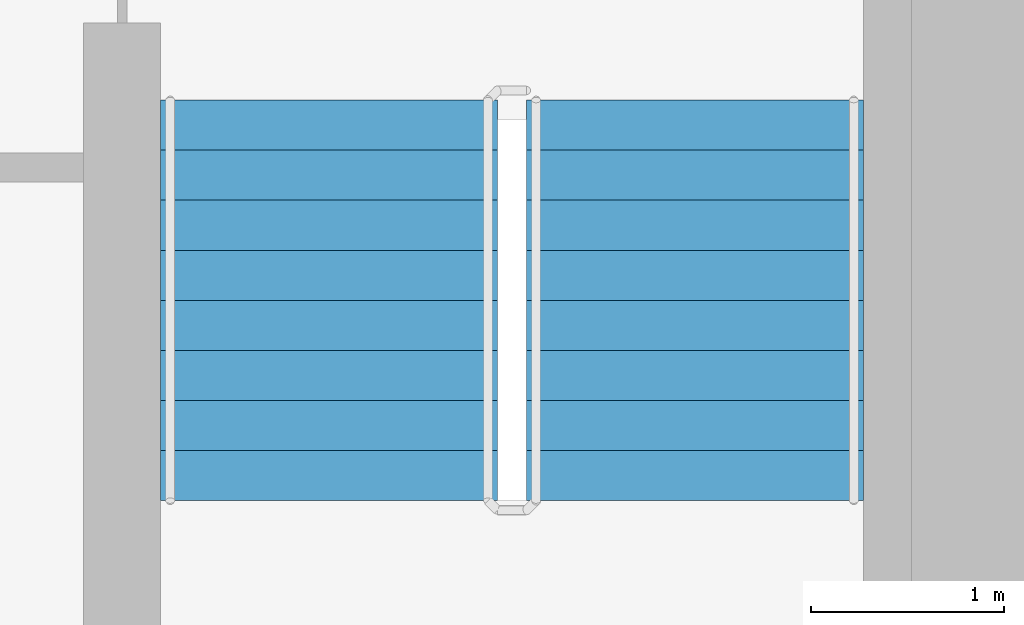
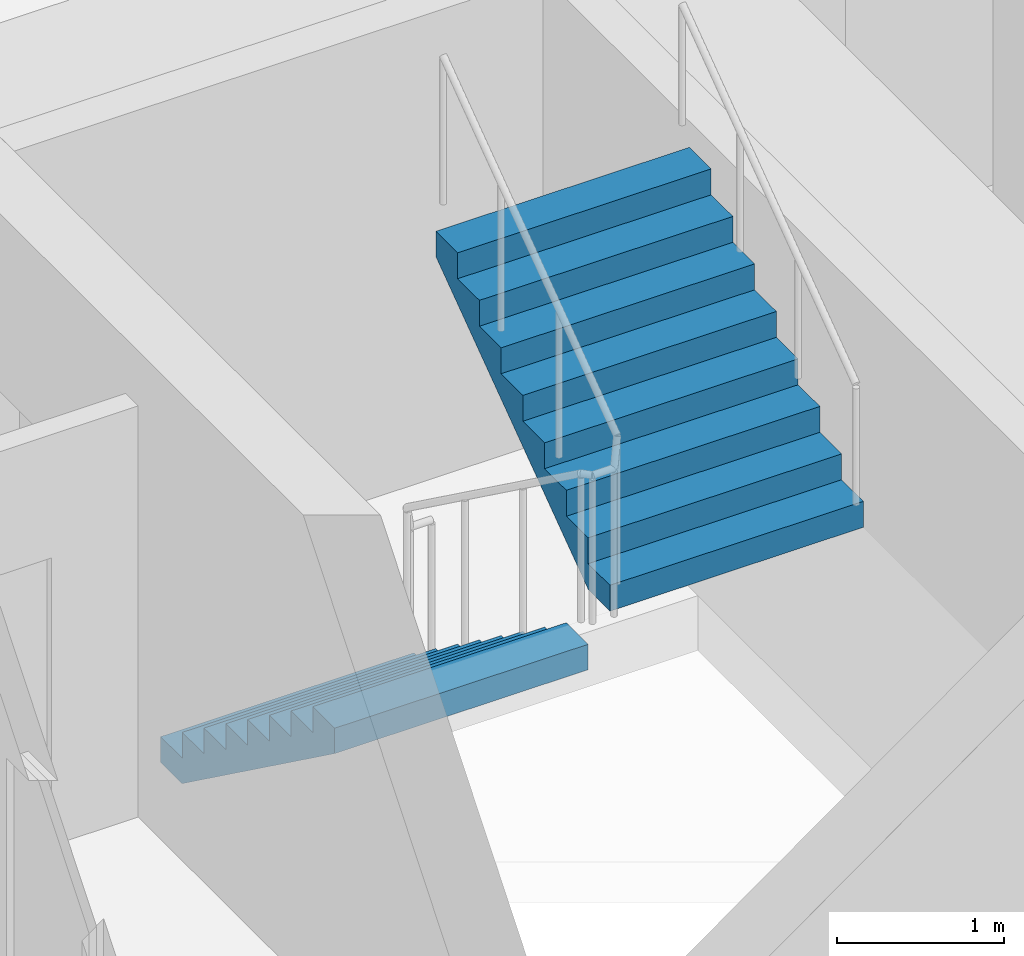
# One storey, part 18 of 21: 2 stair flights, 1 element without a shape of its own.
"""IFC4 building model written with IfcOpenShell, lengths in metres."""

from ifc_helpers import new_model, si_unit, direction, frame, origin, place, context, subcontext, project, spatial, faceted_brep, material, type_object, element, aggregate, save


model = new_model("IFC4")

# Units and contexts
model_context = context("Model", 3, precision=1e-05, world=origin(), true_north=direction((0.0, 1.0)))
body_context = subcontext(model_context, "Body", "Model", "MODEL_VIEW")
ifc_project = project(units=[si_unit("LENGTHUNIT", "METRE"), si_unit("AREAUNIT", "SQUARE_METRE"), si_unit("VOLUMEUNIT", "CUBIC_METRE"), si_unit("PLANEANGLEUNIT", "RADIAN"), si_unit("MASSUNIT", "GRAM", prefix="KILO")], contexts=[model_context])

# Site, building, storey
site_placement = place(None, origin())
site = spatial("IfcSite", under=ifc_project, at=site_placement, CompositionType="ELEMENT")
building_placement = place(site_placement, origin())
building = spatial("IfcBuilding", under=site, at=building_placement, Name="Ipe Terrace Towers", CompositionType="ELEMENT")
storey_placement = place(building_placement, frame((0.0, 0.0, 117.39990234375)))
storey = spatial("IfcBuildingStorey", under=building, at=storey_placement, Name="L32", CompositionType="ELEMENT", Elevation=117.39990234375)

# Stair, stair flights
ifc_material_1 = material(Name="Concrete C30/37", Category="concrete")
stair_type = type_object("IfcStairType", Name="Protected exit stair", PredefinedType="HALF_TURN_STAIR", material=ifc_material_1)
stair_placement = place(storey_placement, origin())
stair = element("IfcStair", 1, at=stair_placement, inside=storey, type_object=stair_type, Name="L32 Exit stair T2-C2", PredefinedType="HALF_TURN_STAIR")
ifc_material_2 = material(Name="Concrete C30/37", Category="concrete")
stair_flight_type = type_object("IfcStairFlightType", Name="Exit stair flight 1750", PredefinedType="STRAIGHT", material=ifc_material_2)
stair_flight_1_placement = place(storey_placement, frame((38.77490234375, -9.699951171875, 0.0), z_axis=(0.0, 0.0, 1.0), x_axis=(0.0, -1.0, 0.0)))
stair_flight_1 = element("IfcStairFlight", 2, at=stair_flight_1_placement, type_object=stair_flight_type, Name="T2-ST2 flight 1", NumberOfRisers=9, NumberOfTreads=8, PredefinedType="STRAIGHT", RiserHeight=0.188888889, TreadLength=0.26, context=body_context, shape_type="Brep", body=[
    faceted_brep([(0.255126953125, -0.875, 0.0), (2.080078125, -0.875, 1.325927734375), (2.080078125, -0.875, 1.51123046875), (1.820068359375, -0.875, 1.51123046875), (1.820068359375, -0.875, 1.322265625), (1.56005859375, -0.875, 1.322265625), (1.56005859375, -0.875, 1.13330078125), (1.300048828125, -0.875, 1.13330078125), (1.300048828125, -0.875, 0.9443359375), (1.0400390625, -0.875, 0.9443359375), (1.0400390625, -0.875, 0.755615234375), (0.780029296875, -0.875, 0.755615234375), (0.780029296875, -0.875, 0.566650390625), (0.52001953125, -0.875, 0.566650390625), (0.52001953125, -0.875, 0.377685546875), (0.260009765625, -0.875, 0.377685546875), (0.260009765625, -0.875, 0.18896484375), (0.0, -0.875, 0.18896484375), (0.0, -0.875, 0.0), (0.0, 0.875, 0.0), (0.0, 0.875, 0.18896484375), (0.260009765625, 0.875, 0.18896484375), (0.260009765625, 0.875, 0.377685546875), (0.52001953125, 0.875, 0.377685546875), (0.52001953125, 0.875, 0.566650390625), (0.780029296875, 0.875, 0.566650390625), (0.780029296875, 0.875, 0.755615234375), (1.0400390625, 0.875, 0.755615234375), (1.0400390625, 0.875, 0.9443359375), (1.300048828125, 0.875, 0.9443359375), (1.300048828125, 0.875, 1.13330078125), (1.56005859375, 0.875, 1.13330078125), (1.56005859375, 0.875, 1.322265625), (1.820068359375, 0.875, 1.322265625), (1.820068359375, 0.875, 1.51123046875), (2.080078125, 0.875, 1.51123046875), (2.080078125, 0.875, 1.325927734375), (0.255126953125, 0.875, 0.0), (0.0, -0.300048828125, 0.18896484375), (0.0, -0.1201171875, 0.18896484375), (0.0, -0.06005859375, 0.18896484375), (0.0, -0.030029296875, 0.18896484375), (0.0, -0.010009765625, 0.18896484375), (0.0, 0.0, 0.18896484375), (0.0, 0.010009765625, 0.18896484375), (0.0, 0.030029296875, 0.18896484375), (0.0, 0.06005859375, 0.18896484375), (0.0, 0.1201171875, 0.18896484375), (0.0, 0.300048828125, 0.18896484375), (0.0, 0.300048828125, 0.0), (0.0, 0.1201171875, 0.0), (0.0, 0.06005859375, 0.0), (0.0, 0.030029296875, 0.0), (0.0, 0.010009765625, 0.0), (0.0, 0.0, 0.0), (0.0, -0.010009765625, 0.0), (0.0, -0.030029296875, 0.0), (0.0, -0.06005859375, 0.0), (0.0, -0.1201171875, 0.0), (0.0, -0.300048828125, 0.0), (0.260009765625, -0.300048828125, 0.18896484375), (0.260009765625, -0.1201171875, 0.18896484375), (0.260009765625, -0.06005859375, 0.18896484375), (0.260009765625, -0.030029296875, 0.18896484375), (0.260009765625, -0.010009765625, 0.18896484375), (0.260009765625, 0.0, 0.18896484375), (0.260009765625, 0.010009765625, 0.18896484375), (0.260009765625, 0.030029296875, 0.18896484375), (0.260009765625, 0.06005859375, 0.18896484375), (0.260009765625, 0.1201171875, 0.18896484375), (0.260009765625, 0.300048828125, 0.18896484375), (0.260009765625, -0.300048828125, 0.377685546875), (0.260009765625, -0.1201171875, 0.377685546875), (0.260009765625, -0.06005859375, 0.377685546875), (0.260009765625, -0.030029296875, 0.377685546875), (0.260009765625, -0.010009765625, 0.377685546875), (0.260009765625, 0.0, 0.377685546875), (0.260009765625, 0.010009765625, 0.377685546875), (0.260009765625, 0.030029296875, 0.377685546875), (0.260009765625, 0.06005859375, 0.377685546875), (0.260009765625, 0.1201171875, 0.377685546875), (0.260009765625, 0.300048828125, 0.377685546875), (0.52001953125, -0.300048828125, 0.377685546875), (0.52001953125, -0.1201171875, 0.377685546875), (0.52001953125, -0.06005859375, 0.377685546875), (0.52001953125, -0.030029296875, 0.377685546875), (0.52001953125, -0.010009765625, 0.377685546875), (0.52001953125, 0.0, 0.377685546875), (0.52001953125, 0.010009765625, 0.377685546875), (0.52001953125, 0.030029296875, 0.377685546875), (0.52001953125, 0.06005859375, 0.377685546875), (0.52001953125, 0.1201171875, 0.377685546875), (0.52001953125, 0.300048828125, 0.377685546875), (0.52001953125, -0.300048828125, 0.566650390625), (0.52001953125, -0.1201171875, 0.566650390625), (0.52001953125, -0.06005859375, 0.566650390625), (0.52001953125, -0.030029296875, 0.566650390625), (0.52001953125, -0.010009765625, 0.566650390625), (0.52001953125, 0.0, 0.566650390625), (0.52001953125, 0.010009765625, 0.566650390625), (0.52001953125, 0.030029296875, 0.566650390625), (0.52001953125, 0.06005859375, 0.566650390625), (0.52001953125, 0.1201171875, 0.566650390625), (0.52001953125, 0.300048828125, 0.566650390625), (0.780029296875, -0.300048828125, 0.566650390625), (0.780029296875, -0.1201171875, 0.566650390625), (0.780029296875, -0.06005859375, 0.566650390625), (0.780029296875, -0.030029296875, 0.566650390625), (0.780029296875, -0.010009765625, 0.566650390625), (0.780029296875, 0.0, 0.566650390625), (0.780029296875, 0.010009765625, 0.566650390625), (0.780029296875, 0.030029296875, 0.566650390625), (0.780029296875, 0.06005859375, 0.566650390625), (0.780029296875, 0.1201171875, 0.566650390625), (0.780029296875, 0.300048828125, 0.566650390625), (0.780029296875, -0.300048828125, 0.755615234375), (0.780029296875, -0.1201171875, 0.755615234375), (0.780029296875, -0.06005859375, 0.755615234375), (0.780029296875, -0.030029296875, 0.755615234375), (0.780029296875, -0.010009765625, 0.755615234375), (0.780029296875, 0.0, 0.755615234375), (0.780029296875, 0.010009765625, 0.755615234375), (0.780029296875, 0.030029296875, 0.755615234375), (0.780029296875, 0.06005859375, 0.755615234375), (0.780029296875, 0.1201171875, 0.755615234375), (0.780029296875, 0.300048828125, 0.755615234375), (1.0400390625, -0.300048828125, 0.755615234375), (1.0400390625, -0.1201171875, 0.755615234375), (1.0400390625, -0.06005859375, 0.755615234375), (1.0400390625, -0.030029296875, 0.755615234375), (1.0400390625, -0.010009765625, 0.755615234375), (1.0400390625, 0.0, 0.755615234375), (1.0400390625, 0.010009765625, 0.755615234375), (1.0400390625, 0.030029296875, 0.755615234375), (1.0400390625, 0.06005859375, 0.755615234375), (1.0400390625, 0.1201171875, 0.755615234375), (1.0400390625, 0.300048828125, 0.755615234375), (1.0400390625, -0.300048828125, 0.9443359375), (1.0400390625, -0.1201171875, 0.9443359375), (1.0400390625, -0.06005859375, 0.9443359375), (1.0400390625, -0.030029296875, 0.9443359375), (1.0400390625, -0.010009765625, 0.9443359375), (1.0400390625, 0.0, 0.9443359375), (1.0400390625, 0.010009765625, 0.9443359375), (1.0400390625, 0.030029296875, 0.9443359375), (1.0400390625, 0.06005859375, 0.9443359375), (1.0400390625, 0.1201171875, 0.9443359375), (1.0400390625, 0.300048828125, 0.9443359375), (1.300048828125, -0.300048828125, 0.9443359375), (1.300048828125, -0.1201171875, 0.9443359375), (1.300048828125, -0.06005859375, 0.9443359375), (1.300048828125, -0.030029296875, 0.9443359375), (1.300048828125, -0.010009765625, 0.9443359375), (1.300048828125, 0.0, 0.9443359375), (1.300048828125, 0.010009765625, 0.9443359375), (1.300048828125, 0.030029296875, 0.9443359375), (1.300048828125, 0.06005859375, 0.9443359375), (1.300048828125, 0.1201171875, 0.9443359375), (1.300048828125, 0.300048828125, 0.9443359375), (1.300048828125, -0.300048828125, 1.13330078125), (1.300048828125, -0.1201171875, 1.13330078125), (1.300048828125, -0.06005859375, 1.13330078125), (1.300048828125, -0.030029296875, 1.13330078125), (1.300048828125, -0.010009765625, 1.13330078125), (1.300048828125, 0.0, 1.13330078125), (1.300048828125, 0.010009765625, 1.13330078125), (1.300048828125, 0.030029296875, 1.13330078125), (1.300048828125, 0.06005859375, 1.13330078125), (1.300048828125, 0.1201171875, 1.13330078125), (1.300048828125, 0.300048828125, 1.13330078125), (1.56005859375, -0.300048828125, 1.13330078125), (1.56005859375, -0.1201171875, 1.13330078125), (1.56005859375, -0.06005859375, 1.13330078125), (1.56005859375, -0.030029296875, 1.13330078125), (1.56005859375, -0.010009765625, 1.13330078125), (1.56005859375, 0.0, 1.13330078125), (1.56005859375, 0.010009765625, 1.13330078125), (1.56005859375, 0.030029296875, 1.13330078125), (1.56005859375, 0.06005859375, 1.13330078125), (1.56005859375, 0.1201171875, 1.13330078125), (1.56005859375, 0.300048828125, 1.13330078125), (1.56005859375, -0.300048828125, 1.322265625), (1.56005859375, -0.1201171875, 1.322265625), (1.56005859375, -0.06005859375, 1.322265625), (1.56005859375, -0.030029296875, 1.322265625), (1.56005859375, -0.010009765625, 1.322265625), (1.56005859375, 0.0, 1.322265625), (1.56005859375, 0.010009765625, 1.322265625), (1.56005859375, 0.030029296875, 1.322265625), (1.56005859375, 0.06005859375, 1.322265625), (1.56005859375, 0.1201171875, 1.322265625), (1.56005859375, 0.300048828125, 1.322265625), (1.820068359375, -0.300048828125, 1.322265625), (1.820068359375, -0.1201171875, 1.322265625), (1.820068359375, -0.06005859375, 1.322265625), (1.820068359375, -0.030029296875, 1.322265625), (1.820068359375, -0.010009765625, 1.322265625), (1.820068359375, 0.0, 1.322265625), (1.820068359375, 0.010009765625, 1.322265625), (1.820068359375, 0.030029296875, 1.322265625), (1.820068359375, 0.06005859375, 1.322265625), (1.820068359375, 0.1201171875, 1.322265625), (1.820068359375, 0.300048828125, 1.322265625), (1.820068359375, -0.300048828125, 1.51123046875), (1.820068359375, -0.1201171875, 1.51123046875), (1.820068359375, -0.06005859375, 1.51123046875), (1.820068359375, -0.030029296875, 1.51123046875), (1.820068359375, -0.010009765625, 1.51123046875), (1.820068359375, 0.0, 1.51123046875), (1.820068359375, 0.010009765625, 1.51123046875), (1.820068359375, 0.030029296875, 1.51123046875), (1.820068359375, 0.06005859375, 1.51123046875), (1.820068359375, 0.1201171875, 1.51123046875), (1.820068359375, 0.300048828125, 1.51123046875), (2.080078125, -0.300048828125, 1.51123046875), (2.080078125, -0.1201171875, 1.51123046875), (2.080078125, -0.06005859375, 1.51123046875), (2.080078125, -0.030029296875, 1.51123046875), (2.080078125, -0.010009765625, 1.51123046875), (2.080078125, 0.0, 1.51123046875), (2.080078125, 0.010009765625, 1.51123046875), (2.080078125, 0.030029296875, 1.51123046875), (2.080078125, 0.06005859375, 1.51123046875), (2.080078125, 0.1201171875, 1.51123046875), (2.080078125, 0.300048828125, 1.51123046875), (2.080078125, -0.300048828125, 1.325927734375), (2.080078125, -0.1201171875, 1.325927734375), (2.080078125, -0.06005859375, 1.325927734375), (2.080078125, -0.030029296875, 1.325927734375), (2.080078125, -0.010009765625, 1.325927734375), (2.080078125, 0.0, 1.325927734375), (2.080078125, 0.010009765625, 1.325927734375), (2.080078125, 0.030029296875, 1.325927734375), (2.080078125, 0.06005859375, 1.325927734375), (2.080078125, 0.1201171875, 1.325927734375), (2.080078125, 0.300048828125, 1.325927734375), (0.255126953125, -0.300048828125, 0.0), (0.255126953125, -0.1201171875, 0.0), (0.255126953125, -0.06005859375, 0.0), (0.255126953125, -0.030029296875, 0.0), (0.255126953125, -0.010009765625, 0.0), (0.255126953125, 0.0, 0.0), (0.255126953125, 0.010009765625, 0.0), (0.255126953125, 0.030029296875, 0.0), (0.255126953125, 0.06005859375, 0.0), (0.255126953125, 0.1201171875, 0.0), (0.255126953125, 0.300048828125, 0.0)], [[[0, 1, 2, 3, 4, 5, 6, 7, 8, 9, 10, 11, 12, 13, 14, 15, 16, 17, 18]], [[19, 20, 21, 22, 23, 24, 25, 26, 27, 28, 29, 30, 31, 32, 33, 34, 35, 36, 37]], [[17, 38, 39, 40, 41, 42, 43, 44, 45, 46, 47, 48, 20, 19, 49, 50, 51, 52, 53, 54, 55, 56, 57, 58, 59, 18]], [[16, 60, 61, 62, 63, 64, 65, 66, 67, 68, 69, 70, 21, 20, 48, 47, 46, 45, 44, 43, 42, 41, 40, 39, 38, 17]], [[15, 71, 72, 73, 74, 75, 76, 77, 78, 79, 80, 81, 22, 21, 70, 69, 68, 67, 66, 65, 64, 63, 62, 61, 60, 16]], [[14, 82, 83, 84, 85, 86, 87, 88, 89, 90, 91, 92, 23, 22, 81, 80, 79, 78, 77, 76, 75, 74, 73, 72, 71, 15]], [[13, 93, 94, 95, 96, 97, 98, 99, 100, 101, 102, 103, 24, 23, 92, 91, 90, 89, 88, 87, 86, 85, 84, 83, 82, 14]], [[12, 104, 105, 106, 107, 108, 109, 110, 111, 112, 113, 114, 25, 24, 103, 102, 101, 100, 99, 98, 97, 96, 95, 94, 93, 13]], [[11, 115, 116, 117, 118, 119, 120, 121, 122, 123, 124, 125, 26, 25, 114, 113, 112, 111, 110, 109, 108, 107, 106, 105, 104, 12]], [[10, 126, 127, 128, 129, 130, 131, 132, 133, 134, 135, 136, 27, 26, 125, 124, 123, 122, 121, 120, 119, 118, 117, 116, 115, 11]], [[9, 137, 138, 139, 140, 141, 142, 143, 144, 145, 146, 147, 28, 27, 136, 135, 134, 133, 132, 131, 130, 129, 128, 127, 126, 10]], [[8, 148, 149, 150, 151, 152, 153, 154, 155, 156, 157, 158, 29, 28, 147, 146, 145, 144, 143, 142, 141, 140, 139, 138, 137, 9]], [[7, 159, 160, 161, 162, 163, 164, 165, 166, 167, 168, 169, 30, 29, 158, 157, 156, 155, 154, 153, 152, 151, 150, 149, 148, 8]], [[6, 170, 171, 172, 173, 174, 175, 176, 177, 178, 179, 180, 31, 30, 169, 168, 167, 166, 165, 164, 163, 162, 161, 160, 159, 7]], [[5, 181, 182, 183, 184, 185, 186, 187, 188, 189, 190, 191, 32, 31, 180, 179, 178, 177, 176, 175, 174, 173, 172, 171, 170, 6]], [[4, 192, 193, 194, 195, 196, 197, 198, 199, 200, 201, 202, 33, 32, 191, 190, 189, 188, 187, 186, 185, 184, 183, 182, 181, 5]], [[3, 203, 204, 205, 206, 207, 208, 209, 210, 211, 212, 213, 34, 33, 202, 201, 200, 199, 198, 197, 196, 195, 194, 193, 192, 4]], [[2, 214, 215, 216, 217, 218, 219, 220, 221, 222, 223, 224, 35, 34, 213, 212, 211, 210, 209, 208, 207, 206, 205, 204, 203, 3]], [[1, 225, 226, 227, 228, 229, 230, 231, 232, 233, 234, 235, 36, 35, 224, 223, 222, 221, 220, 219, 218, 217, 216, 215, 214, 2]], [[0, 236, 237, 238, 239, 240, 241, 242, 243, 244, 245, 246, 37, 36, 235, 234, 233, 232, 231, 230, 229, 228, 227, 226, 225, 1]], [[18, 59, 58, 57, 56, 55, 54, 53, 52, 51, 50, 49, 19, 37, 246, 245, 244, 243, 242, 241, 240, 239, 238, 237, 236, 0]]]),
])
stair_flight_2_placement = place(storey_placement, frame((40.675048828125, -11.780029296875, 1.7001953125), z_axis=(0.0, 0.0, 1.0), x_axis=(0.0, 1.0, 0.0)))
stair_flight_2 = element("IfcStairFlight", 3, at=stair_flight_2_placement, type_object=stair_flight_type, Name="T2-ST2 flight 2", NumberOfRisers=9, NumberOfTreads=8, PredefinedType="STRAIGHT", RiserHeight=0.188888889, TreadLength=0.26, context=body_context, shape_type="Brep", body=[
    faceted_brep([(0.255126953125, -0.875, 0.0), (2.080078125, -0.875, 1.325927734375), (2.080078125, -0.875, 1.51123046875), (1.820068359375, -0.875, 1.51123046875), (1.820068359375, -0.875, 1.322265625), (1.56005859375, -0.875, 1.322265625), (1.56005859375, -0.875, 1.13330078125), (1.300048828125, -0.875, 1.13330078125), (1.300048828125, -0.875, 0.9443359375), (1.0400390625, -0.875, 0.9443359375), (1.0400390625, -0.875, 0.755615234375), (0.780029296875, -0.875, 0.755615234375), (0.780029296875, -0.875, 0.566650390625), (0.52001953125, -0.875, 0.566650390625), (0.52001953125, -0.875, 0.377685546875), (0.260009765625, -0.875, 0.377685546875), (0.260009765625, -0.875, 0.18896484375), (0.0, -0.875, 0.18896484375), (0.0, -0.875, 0.0), (0.0, 0.875, 0.0), (0.0, 0.875, 0.18896484375), (0.260009765625, 0.875, 0.18896484375), (0.260009765625, 0.875, 0.377685546875), (0.52001953125, 0.875, 0.377685546875), (0.52001953125, 0.875, 0.566650390625), (0.780029296875, 0.875, 0.566650390625), (0.780029296875, 0.875, 0.755615234375), (1.0400390625, 0.875, 0.755615234375), (1.0400390625, 0.875, 0.9443359375), (1.300048828125, 0.875, 0.9443359375), (1.300048828125, 0.875, 1.13330078125), (1.56005859375, 0.875, 1.13330078125), (1.56005859375, 0.875, 1.322265625), (1.820068359375, 0.875, 1.322265625), (1.820068359375, 0.875, 1.51123046875), (2.080078125, 0.875, 1.51123046875), (2.080078125, 0.875, 1.325927734375), (0.255126953125, 0.875, 0.0), (0.0, -0.300048828125, 0.18896484375), (0.0, -0.1201171875, 0.18896484375), (0.0, -0.06005859375, 0.18896484375), (0.0, -0.030029296875, 0.18896484375), (0.0, -0.010009765625, 0.18896484375), (0.0, 0.0, 0.18896484375), (0.0, 0.010009765625, 0.18896484375), (0.0, 0.030029296875, 0.18896484375), (0.0, 0.06005859375, 0.18896484375), (0.0, 0.1201171875, 0.18896484375), (0.0, 0.300048828125, 0.18896484375), (0.0, 0.300048828125, 0.0), (0.0, 0.1201171875, 0.0), (0.0, 0.06005859375, 0.0), (0.0, 0.030029296875, 0.0), (0.0, 0.010009765625, 0.0), (0.0, 0.0, 0.0), (0.0, -0.010009765625, 0.0), (0.0, -0.030029296875, 0.0), (0.0, -0.06005859375, 0.0), (0.0, -0.1201171875, 0.0), (0.0, -0.300048828125, 0.0), (0.260009765625, -0.300048828125, 0.18896484375), (0.260009765625, -0.1201171875, 0.18896484375), (0.260009765625, -0.06005859375, 0.18896484375), (0.260009765625, -0.030029296875, 0.18896484375), (0.260009765625, -0.010009765625, 0.18896484375), (0.260009765625, 0.0, 0.18896484375), (0.260009765625, 0.010009765625, 0.18896484375), (0.260009765625, 0.030029296875, 0.18896484375), (0.260009765625, 0.06005859375, 0.18896484375), (0.260009765625, 0.1201171875, 0.18896484375), (0.260009765625, 0.300048828125, 0.18896484375), (0.260009765625, -0.300048828125, 0.377685546875), (0.260009765625, -0.1201171875, 0.377685546875), (0.260009765625, -0.06005859375, 0.377685546875), (0.260009765625, -0.030029296875, 0.377685546875), (0.260009765625, -0.010009765625, 0.377685546875), (0.260009765625, 0.0, 0.377685546875), (0.260009765625, 0.010009765625, 0.377685546875), (0.260009765625, 0.030029296875, 0.377685546875), (0.260009765625, 0.06005859375, 0.377685546875), (0.260009765625, 0.1201171875, 0.377685546875), (0.260009765625, 0.300048828125, 0.377685546875), (0.52001953125, -0.300048828125, 0.377685546875), (0.52001953125, -0.1201171875, 0.377685546875), (0.52001953125, -0.06005859375, 0.377685546875), (0.52001953125, -0.030029296875, 0.377685546875), (0.52001953125, -0.010009765625, 0.377685546875), (0.52001953125, 0.0, 0.377685546875), (0.52001953125, 0.010009765625, 0.377685546875), (0.52001953125, 0.030029296875, 0.377685546875), (0.52001953125, 0.06005859375, 0.377685546875), (0.52001953125, 0.1201171875, 0.377685546875), (0.52001953125, 0.300048828125, 0.377685546875), (0.52001953125, -0.300048828125, 0.566650390625), (0.52001953125, -0.1201171875, 0.566650390625), (0.52001953125, -0.06005859375, 0.566650390625), (0.52001953125, -0.030029296875, 0.566650390625), (0.52001953125, -0.010009765625, 0.566650390625), (0.52001953125, 0.0, 0.566650390625), (0.52001953125, 0.010009765625, 0.566650390625), (0.52001953125, 0.030029296875, 0.566650390625), (0.52001953125, 0.06005859375, 0.566650390625), (0.52001953125, 0.1201171875, 0.566650390625), (0.52001953125, 0.300048828125, 0.566650390625), (0.780029296875, -0.300048828125, 0.566650390625), (0.780029296875, -0.1201171875, 0.566650390625), (0.780029296875, -0.06005859375, 0.566650390625), (0.780029296875, -0.030029296875, 0.566650390625), (0.780029296875, -0.010009765625, 0.566650390625), (0.780029296875, 0.0, 0.566650390625), (0.780029296875, 0.010009765625, 0.566650390625), (0.780029296875, 0.030029296875, 0.566650390625), (0.780029296875, 0.06005859375, 0.566650390625), (0.780029296875, 0.1201171875, 0.566650390625), (0.780029296875, 0.300048828125, 0.566650390625), (0.780029296875, -0.300048828125, 0.755615234375), (0.780029296875, -0.1201171875, 0.755615234375), (0.780029296875, -0.06005859375, 0.755615234375), (0.780029296875, -0.030029296875, 0.755615234375), (0.780029296875, -0.010009765625, 0.755615234375), (0.780029296875, 0.0, 0.755615234375), (0.780029296875, 0.010009765625, 0.755615234375), (0.780029296875, 0.030029296875, 0.755615234375), (0.780029296875, 0.06005859375, 0.755615234375), (0.780029296875, 0.1201171875, 0.755615234375), (0.780029296875, 0.300048828125, 0.755615234375), (1.0400390625, -0.300048828125, 0.755615234375), (1.0400390625, -0.1201171875, 0.755615234375), (1.0400390625, -0.06005859375, 0.755615234375), (1.0400390625, -0.030029296875, 0.755615234375), (1.0400390625, -0.010009765625, 0.755615234375), (1.0400390625, 0.0, 0.755615234375), (1.0400390625, 0.010009765625, 0.755615234375), (1.0400390625, 0.030029296875, 0.755615234375), (1.0400390625, 0.06005859375, 0.755615234375), (1.0400390625, 0.1201171875, 0.755615234375), (1.0400390625, 0.300048828125, 0.755615234375), (1.0400390625, -0.300048828125, 0.9443359375), (1.0400390625, -0.1201171875, 0.9443359375), (1.0400390625, -0.06005859375, 0.9443359375), (1.0400390625, -0.030029296875, 0.9443359375), (1.0400390625, -0.010009765625, 0.9443359375), (1.0400390625, 0.0, 0.9443359375), (1.0400390625, 0.010009765625, 0.9443359375), (1.0400390625, 0.030029296875, 0.9443359375), (1.0400390625, 0.06005859375, 0.9443359375), (1.0400390625, 0.1201171875, 0.9443359375), (1.0400390625, 0.300048828125, 0.9443359375), (1.300048828125, -0.300048828125, 0.9443359375), (1.300048828125, -0.1201171875, 0.9443359375), (1.300048828125, -0.06005859375, 0.9443359375), (1.300048828125, -0.030029296875, 0.9443359375), (1.300048828125, -0.010009765625, 0.9443359375), (1.300048828125, 0.0, 0.9443359375), (1.300048828125, 0.010009765625, 0.9443359375), (1.300048828125, 0.030029296875, 0.9443359375), (1.300048828125, 0.06005859375, 0.9443359375), (1.300048828125, 0.1201171875, 0.9443359375), (1.300048828125, 0.300048828125, 0.9443359375), (1.300048828125, -0.300048828125, 1.13330078125), (1.300048828125, -0.1201171875, 1.13330078125), (1.300048828125, -0.06005859375, 1.13330078125), (1.300048828125, -0.030029296875, 1.13330078125), (1.300048828125, -0.010009765625, 1.13330078125), (1.300048828125, 0.0, 1.13330078125), (1.300048828125, 0.010009765625, 1.13330078125), (1.300048828125, 0.030029296875, 1.13330078125), (1.300048828125, 0.06005859375, 1.13330078125), (1.300048828125, 0.1201171875, 1.13330078125), (1.300048828125, 0.300048828125, 1.13330078125), (1.56005859375, -0.300048828125, 1.13330078125), (1.56005859375, -0.1201171875, 1.13330078125), (1.56005859375, -0.06005859375, 1.13330078125), (1.56005859375, -0.030029296875, 1.13330078125), (1.56005859375, -0.010009765625, 1.13330078125), (1.56005859375, 0.0, 1.13330078125), (1.56005859375, 0.010009765625, 1.13330078125), (1.56005859375, 0.030029296875, 1.13330078125), (1.56005859375, 0.06005859375, 1.13330078125), (1.56005859375, 0.1201171875, 1.13330078125), (1.56005859375, 0.300048828125, 1.13330078125), (1.56005859375, -0.300048828125, 1.322265625), (1.56005859375, -0.1201171875, 1.322265625), (1.56005859375, -0.06005859375, 1.322265625), (1.56005859375, -0.030029296875, 1.322265625), (1.56005859375, -0.010009765625, 1.322265625), (1.56005859375, 0.0, 1.322265625), (1.56005859375, 0.010009765625, 1.322265625), (1.56005859375, 0.030029296875, 1.322265625), (1.56005859375, 0.06005859375, 1.322265625), (1.56005859375, 0.1201171875, 1.322265625), (1.56005859375, 0.300048828125, 1.322265625), (1.820068359375, -0.300048828125, 1.322265625), (1.820068359375, -0.1201171875, 1.322265625), (1.820068359375, -0.06005859375, 1.322265625), (1.820068359375, -0.030029296875, 1.322265625), (1.820068359375, -0.010009765625, 1.322265625), (1.820068359375, 0.0, 1.322265625), (1.820068359375, 0.010009765625, 1.322265625), (1.820068359375, 0.030029296875, 1.322265625), (1.820068359375, 0.06005859375, 1.322265625), (1.820068359375, 0.1201171875, 1.322265625), (1.820068359375, 0.300048828125, 1.322265625), (1.820068359375, -0.300048828125, 1.51123046875), (1.820068359375, -0.1201171875, 1.51123046875), (1.820068359375, -0.06005859375, 1.51123046875), (1.820068359375, -0.030029296875, 1.51123046875), (1.820068359375, -0.010009765625, 1.51123046875), (1.820068359375, 0.0, 1.51123046875), (1.820068359375, 0.010009765625, 1.51123046875), (1.820068359375, 0.030029296875, 1.51123046875), (1.820068359375, 0.06005859375, 1.51123046875), (1.820068359375, 0.1201171875, 1.51123046875), (1.820068359375, 0.300048828125, 1.51123046875), (2.080078125, -0.300048828125, 1.51123046875), (2.080078125, -0.1201171875, 1.51123046875), (2.080078125, -0.06005859375, 1.51123046875), (2.080078125, -0.030029296875, 1.51123046875), (2.080078125, -0.010009765625, 1.51123046875), (2.080078125, 0.0, 1.51123046875), (2.080078125, 0.010009765625, 1.51123046875), (2.080078125, 0.030029296875, 1.51123046875), (2.080078125, 0.06005859375, 1.51123046875), (2.080078125, 0.1201171875, 1.51123046875), (2.080078125, 0.300048828125, 1.51123046875), (2.080078125, -0.300048828125, 1.325927734375), (2.080078125, -0.1201171875, 1.325927734375), (2.080078125, -0.06005859375, 1.325927734375), (2.080078125, -0.030029296875, 1.325927734375), (2.080078125, -0.010009765625, 1.325927734375), (2.080078125, 0.0, 1.325927734375), (2.080078125, 0.010009765625, 1.325927734375), (2.080078125, 0.030029296875, 1.325927734375), (2.080078125, 0.06005859375, 1.325927734375), (2.080078125, 0.1201171875, 1.325927734375), (2.080078125, 0.300048828125, 1.325927734375), (0.255126953125, -0.300048828125, 0.0), (0.255126953125, -0.1201171875, 0.0), (0.255126953125, -0.06005859375, 0.0), (0.255126953125, -0.030029296875, 0.0), (0.255126953125, -0.010009765625, 0.0), (0.255126953125, 0.0, 0.0), (0.255126953125, 0.010009765625, 0.0), (0.255126953125, 0.030029296875, 0.0), (0.255126953125, 0.06005859375, 0.0), (0.255126953125, 0.1201171875, 0.0), (0.255126953125, 0.300048828125, 0.0)], [[[0, 1, 2, 3, 4, 5, 6, 7, 8, 9, 10, 11, 12, 13, 14, 15, 16, 17, 18]], [[19, 20, 21, 22, 23, 24, 25, 26, 27, 28, 29, 30, 31, 32, 33, 34, 35, 36, 37]], [[17, 38, 39, 40, 41, 42, 43, 44, 45, 46, 47, 48, 20, 19, 49, 50, 51, 52, 53, 54, 55, 56, 57, 58, 59, 18]], [[16, 60, 61, 62, 63, 64, 65, 66, 67, 68, 69, 70, 21, 20, 48, 47, 46, 45, 44, 43, 42, 41, 40, 39, 38, 17]], [[15, 71, 72, 73, 74, 75, 76, 77, 78, 79, 80, 81, 22, 21, 70, 69, 68, 67, 66, 65, 64, 63, 62, 61, 60, 16]], [[14, 82, 83, 84, 85, 86, 87, 88, 89, 90, 91, 92, 23, 22, 81, 80, 79, 78, 77, 76, 75, 74, 73, 72, 71, 15]], [[13, 93, 94, 95, 96, 97, 98, 99, 100, 101, 102, 103, 24, 23, 92, 91, 90, 89, 88, 87, 86, 85, 84, 83, 82, 14]], [[12, 104, 105, 106, 107, 108, 109, 110, 111, 112, 113, 114, 25, 24, 103, 102, 101, 100, 99, 98, 97, 96, 95, 94, 93, 13]], [[11, 115, 116, 117, 118, 119, 120, 121, 122, 123, 124, 125, 26, 25, 114, 113, 112, 111, 110, 109, 108, 107, 106, 105, 104, 12]], [[10, 126, 127, 128, 129, 130, 131, 132, 133, 134, 135, 136, 27, 26, 125, 124, 123, 122, 121, 120, 119, 118, 117, 116, 115, 11]], [[9, 137, 138, 139, 140, 141, 142, 143, 144, 145, 146, 147, 28, 27, 136, 135, 134, 133, 132, 131, 130, 129, 128, 127, 126, 10]], [[8, 148, 149, 150, 151, 152, 153, 154, 155, 156, 157, 158, 29, 28, 147, 146, 145, 144, 143, 142, 141, 140, 139, 138, 137, 9]], [[7, 159, 160, 161, 162, 163, 164, 165, 166, 167, 168, 169, 30, 29, 158, 157, 156, 155, 154, 153, 152, 151, 150, 149, 148, 8]], [[6, 170, 171, 172, 173, 174, 175, 176, 177, 178, 179, 180, 31, 30, 169, 168, 167, 166, 165, 164, 163, 162, 161, 160, 159, 7]], [[5, 181, 182, 183, 184, 185, 186, 187, 188, 189, 190, 191, 32, 31, 180, 179, 178, 177, 176, 175, 174, 173, 172, 171, 170, 6]], [[4, 192, 193, 194, 195, 196, 197, 198, 199, 200, 201, 202, 33, 32, 191, 190, 189, 188, 187, 186, 185, 184, 183, 182, 181, 5]], [[3, 203, 204, 205, 206, 207, 208, 209, 210, 211, 212, 213, 34, 33, 202, 201, 200, 199, 198, 197, 196, 195, 194, 193, 192, 4]], [[2, 214, 215, 216, 217, 218, 219, 220, 221, 222, 223, 224, 35, 34, 213, 212, 211, 210, 209, 208, 207, 206, 205, 204, 203, 3]], [[1, 225, 226, 227, 228, 229, 230, 231, 232, 233, 234, 235, 36, 35, 224, 223, 222, 221, 220, 219, 218, 217, 216, 215, 214, 2]], [[0, 236, 237, 238, 239, 240, 241, 242, 243, 244, 245, 246, 37, 36, 235, 234, 233, 232, 231, 230, 229, 228, 227, 226, 225, 1]], [[18, 59, 58, 57, 56, 55, 54, 53, 52, 51, 50, 49, 19, 37, 246, 245, 244, 243, 242, 241, 240, 239, 238, 237, 236, 0]]]),
])
aggregate(stair, [stair_flight_1, stair_flight_2])

save(model, "model.ifc")
